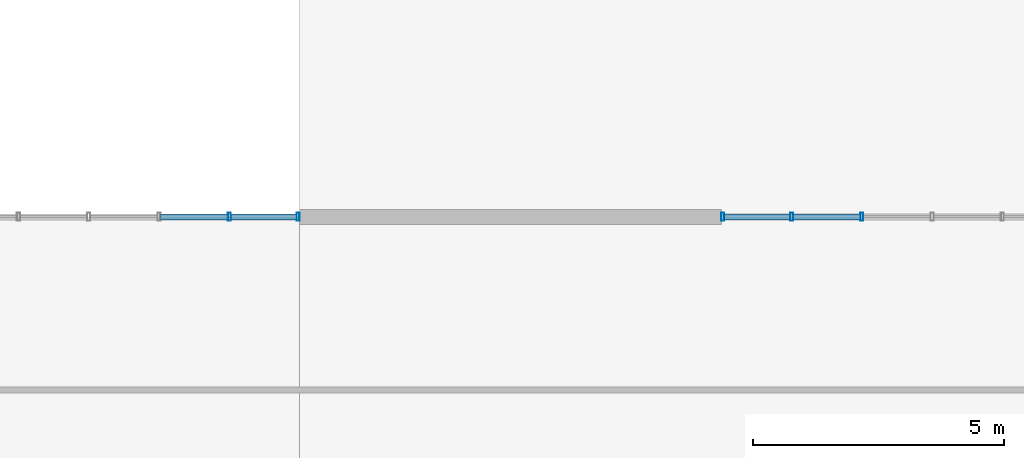
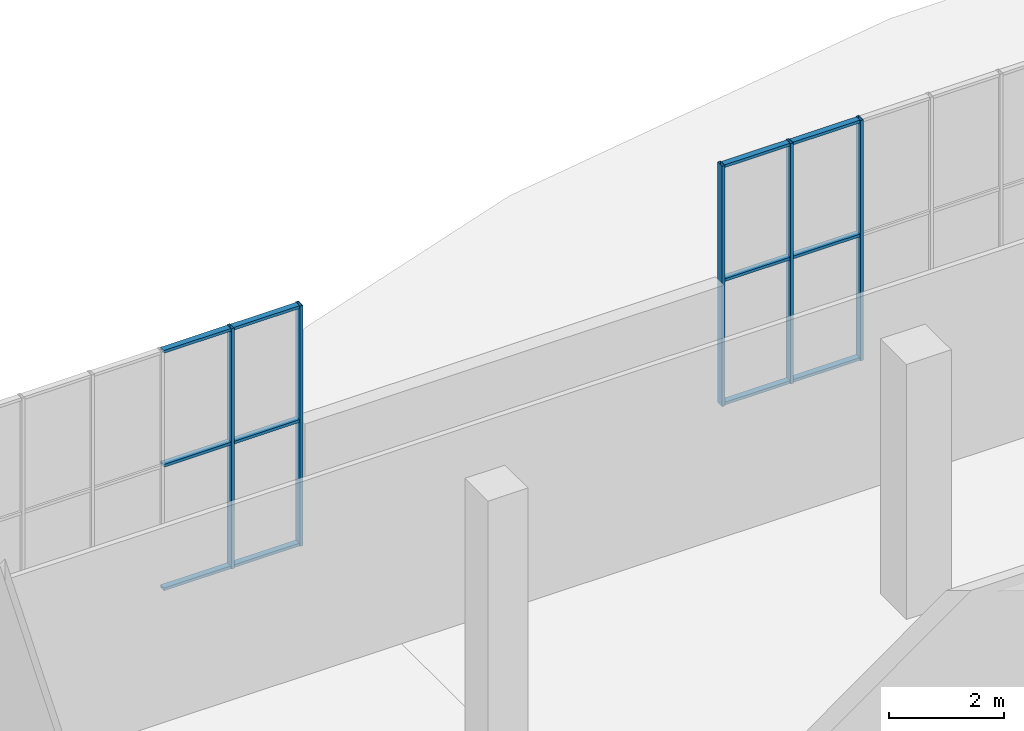
# One storey, part 17 of 91: 17 members, 2 elements without a shape of their own.
"""IFC4 building model written with IfcOpenShell, lengths in metres."""

from ifc_helpers import new_model, si_unit, direction, frame, origin, origin_2d, place, context, subcontext, project, spatial, hollow_rectangle, extrude, material, material_profile, profile_set, type_object, element, aggregate, save


model = new_model("IFC4")

# Units and contexts
model_context = context("Model", 3, precision=1e-05, world=origin(), true_north=direction((0.0, 1.0)))
body_context = subcontext(model_context, "Body", "Model", "MODEL_VIEW")
ifc_project = project(units=[si_unit("LENGTHUNIT", "METRE"), si_unit("AREAUNIT", "SQUARE_METRE"), si_unit("VOLUMEUNIT", "CUBIC_METRE"), si_unit("PLANEANGLEUNIT", "RADIAN"), si_unit("MASSUNIT", "GRAM", prefix="KILO")], contexts=[model_context])

# Site, building, storey
site_placement = place(None, origin())
site = spatial("IfcSite", under=ifc_project, at=site_placement, CompositionType="ELEMENT")
building_placement = place(site_placement, origin())
building = spatial("IfcBuilding", under=site, at=building_placement, Name="Khurvash Pelagic Aquarium", CompositionType="ELEMENT")
storey_placement = place(building_placement, origin())
storey = spatial("IfcBuildingStorey", under=building, at=storey_placement, Name="L00", CompositionType="ELEMENT", Elevation=0.0)

# Curtain wall, members
ifc_material_1 = material(Name="Anodised aluminium and low-E laminated glass", Category="aluminium")
curtain_wall_type = type_object("IfcCurtainWallType", Name="CW-02", PredefinedType="USERDEFINED", material=ifc_material_1)
curtain_wall_1_placement = place(storey_placement, origin())
curtain_wall_1 = element("IfcCurtainWall", 1, at=curtain_wall_1_placement, inside=storey, type_object=curtain_wall_type, Name="L00 Facade Unitised Curtain Wall CW-02 0097", ObjectType="UNITISED CURTAIN WALL", PredefinedType="USERDEFINED")
ifc_material_2 = material(Name="Extruded aluminium AW-6063-T6", Category="aluminium")
ifc_material_profile_1 = material_profile(ifc_material_2, hollow_rectangle(XDim=0.06005859375, YDim=0.159912109375, WallThickness=0.00390625, at=origin_2d()), Name="CWM60X160X4")
ifc_profile_set_1 = profile_set([ifc_material_profile_1], Name="Extruded aluminium AW-6063-T6")
member_type_1 = type_object("IfcMemberType", Name="CM-02", PredefinedType="MULLION", material=ifc_profile_set_1)
member_1_placement = place(storey_placement, frame((61.60009765625, 36.550048828125, 0.0), z_axis=(0.0, 0.0, 1.0), x_axis=(-1.0, 0.0, 0.0)))
member_1 = element("IfcMember", 2, at=member_1_placement, type_object=member_type_1, Name="CW-02 mullion 5", PredefinedType="MULLION", context=body_context, shape_type="SweptSolid", body=[
    extrude(hollow_rectangle(XDim=0.06005859375, YDim=0.159912109375, WallThickness=0.00390625, at=origin_2d()), origin(), (0.0, 0.0, 1.0), 5.090087890625),
])
member_2_placement = place(storey_placement, frame((60.199951171875, 36.550048828125, 0.0), z_axis=(0.0, 0.0, 1.0), x_axis=(-1.0, 0.0, 0.0)))
member_2 = element("IfcMember", 3, at=member_2_placement, type_object=member_type_1, Name="CW-02 mullion 6", PredefinedType="MULLION", context=body_context, shape_type="SweptSolid", body=[
    extrude(hollow_rectangle(XDim=0.06005859375, YDim=0.159912109375, WallThickness=0.00390625, at=origin_2d()), origin(), (0.0, 0.0, 1.0), 5.090087890625),
])
member_3_placement = place(storey_placement, frame((58.830078125, 36.550048828125, 0.0), z_axis=(0.0, 0.0, 1.0), x_axis=(-1.0, 0.0, 0.0)))
member_3 = element("IfcMember", 4, at=member_3_placement, type_object=member_type_1, Name="CW-02 mullion 7", PredefinedType="MULLION", context=body_context, shape_type="SweptSolid", body=[
    extrude(hollow_rectangle(XDim=0.06005859375, YDim=0.159912109375, WallThickness=0.00390625, at=origin_2d()), origin(), (0.0, 0.0, 1.0), 5.090087890625),
])

curtain_wall_2_placement = place(storey_placement, origin())
curtain_wall_2 = element("IfcCurtainWall", 5, at=curtain_wall_2_placement, inside=storey, type_object=curtain_wall_type, Name="L00 Facade Unitised Curtain Wall CW-02 0098", ObjectType="UNITISED CURTAIN WALL", PredefinedType="USERDEFINED")
member_4_placement = place(storey_placement, frame((50.3701171875, 36.550048828125, 0.0), z_axis=(0.0, 0.0, 1.0), x_axis=(-1.0, 0.0, 0.0)))
member_4 = element("IfcMember", 6, at=member_4_placement, type_object=member_type_1, Name="CW-02 mullion 1", PredefinedType="MULLION", context=body_context, shape_type="SweptSolid", body=[
    extrude(hollow_rectangle(XDim=0.06005859375, YDim=0.159912109375, WallThickness=0.00390625, at=origin_2d()), origin(), (0.0, 0.0, 1.0), 5.090087890625),
])
member_5_placement = place(storey_placement, frame((49.0, 36.550048828125, 0.0), z_axis=(0.0, 0.0, 1.0), x_axis=(-1.0, 0.0, 0.0)))
member_5 = element("IfcMember", 7, at=member_5_placement, type_object=member_type_1, Name="CW-02 mullion 2", PredefinedType="MULLION", context=body_context, shape_type="SweptSolid", body=[
    extrude(hollow_rectangle(XDim=0.06005859375, YDim=0.159912109375, WallThickness=0.00390625, at=origin_2d()), origin(), (0.0, 0.0, 1.0), 5.090087890625),
])

# Member
ifc_material_profile_2 = material_profile(ifc_material_2, hollow_rectangle(XDim=0.1201171875, YDim=0.06005859375, WallThickness=0.00390625, at=origin_2d()), Name="CWT120X60X4")
ifc_profile_set_2 = profile_set([ifc_material_profile_2], Name="Extruded aluminium AW-6063-T6")
member_type_2 = type_object("IfcMemberType", Name="CT-02", PredefinedType="USERDEFINED", material=ifc_profile_set_2)
member_6_placement = place(storey_placement, frame((61.570068359375, 36.550048828125, 0.030029296875), z_axis=(-1.0, 0.0, 0.0), x_axis=(0.0, -1.0, 0.0)))
member_6 = element("IfcMember", 8, at=member_6_placement, type_object=member_type_2, Name="CW-02 transom 5.1", ObjectType="TRANSOM", PredefinedType="USERDEFINED", context=body_context, shape_type="SweptSolid", body=[
    extrude(hollow_rectangle(XDim=0.1201171875, YDim=0.06005859375, WallThickness=0.00390625, at=origin_2d()), origin(), (0.0, 0.0, 1.0), 1.340087890625),
])

member_7_placement = place(storey_placement, frame((61.570068359375, 36.550048828125, 2.64697265625), z_axis=(-1.0, 0.0, 0.0), x_axis=(0.0, -1.0, 0.0)))
member_7 = element("IfcMember", 9, at=member_7_placement, type_object=member_type_2, Name="CW-02 transom 5.2", ObjectType="TRANSOM", PredefinedType="USERDEFINED", context=body_context, shape_type="SweptSolid", body=[
    extrude(hollow_rectangle(XDim=0.1201171875, YDim=0.06005859375, WallThickness=0.00390625, at=origin_2d()), origin(), (0.0, 0.0, 1.0), 1.340087890625),
])

member_8_placement = place(storey_placement, frame((61.570068359375, 36.550048828125, 5.06005859375), z_axis=(-1.0, 0.0, 0.0), x_axis=(0.0, -1.0, 0.0)))
member_8 = element("IfcMember", 10, at=member_8_placement, type_object=member_type_2, Name="CW-02 transom 5.3", ObjectType="TRANSOM", PredefinedType="USERDEFINED", context=body_context, shape_type="SweptSolid", body=[
    extrude(hollow_rectangle(XDim=0.1201171875, YDim=0.06005859375, WallThickness=0.00390625, at=origin_2d()), origin(), (0.0, 0.0, 1.0), 1.340087890625),
])

member_9_placement = place(storey_placement, frame((60.169921875, 36.550048828125, 0.030029296875), z_axis=(-1.0, 0.0, 0.0), x_axis=(0.0, -1.0, 0.0)))
member_9 = element("IfcMember", 11, at=member_9_placement, type_object=member_type_2, Name="CW-02 transom 6.1", ObjectType="TRANSOM", PredefinedType="USERDEFINED", context=body_context, shape_type="SweptSolid", body=[
    extrude(hollow_rectangle(XDim=0.1201171875, YDim=0.06005859375, WallThickness=0.00390625, at=origin_2d()), origin(), (0.0, 0.0, 1.0), 1.309814453125),
])

member_10_placement = place(storey_placement, frame((60.169921875, 36.550048828125, 2.64697265625), z_axis=(-1.0, 0.0, 0.0), x_axis=(0.0, -1.0, 0.0)))
member_10 = element("IfcMember", 12, at=member_10_placement, type_object=member_type_2, Name="CW-02 transom 6.2", ObjectType="TRANSOM", PredefinedType="USERDEFINED", context=body_context, shape_type="SweptSolid", body=[
    extrude(hollow_rectangle(XDim=0.1201171875, YDim=0.06005859375, WallThickness=0.00390625, at=origin_2d()), origin(), (0.0, 0.0, 1.0), 1.309814453125),
])

member_11_placement = place(storey_placement, frame((60.169921875, 36.550048828125, 5.06005859375), z_axis=(-1.0, 0.0, 0.0), x_axis=(0.0, -1.0, 0.0)))
member_11 = element("IfcMember", 13, at=member_11_placement, type_object=member_type_2, Name="CW-02 transom 6.3", ObjectType="TRANSOM", PredefinedType="USERDEFINED", context=body_context, shape_type="SweptSolid", body=[
    extrude(hollow_rectangle(XDim=0.1201171875, YDim=0.06005859375, WallThickness=0.00390625, at=origin_2d()), origin(), (0.0, 0.0, 1.0), 1.309814453125),
])

aggregate(curtain_wall_1, [member_1, member_2, member_3, member_6, member_7, member_8, member_9, member_10, member_11])

member_12_placement = place(storey_placement, frame((50.340087890625, 36.550048828125, 0.030029296875), z_axis=(-1.0, 0.0, 0.0), x_axis=(0.0, -1.0, 0.0)))
member_12 = element("IfcMember", 14, at=member_12_placement, type_object=member_type_2, Name="CW-02 transom 1.1", ObjectType="TRANSOM", PredefinedType="USERDEFINED", context=body_context, shape_type="SweptSolid", body=[
    extrude(hollow_rectangle(XDim=0.1201171875, YDim=0.06005859375, WallThickness=0.00390625, at=origin_2d()), origin(), (0.0, 0.0, 1.0), 1.31005859375),
])

member_13_placement = place(storey_placement, frame((50.340087890625, 36.550048828125, 2.64697265625), z_axis=(-1.0, 0.0, 0.0), x_axis=(0.0, -1.0, 0.0)))
member_13 = element("IfcMember", 15, at=member_13_placement, type_object=member_type_2, Name="CW-02 transom 1.2", ObjectType="TRANSOM", PredefinedType="USERDEFINED", context=body_context, shape_type="SweptSolid", body=[
    extrude(hollow_rectangle(XDim=0.1201171875, YDim=0.06005859375, WallThickness=0.00390625, at=origin_2d()), origin(), (0.0, 0.0, 1.0), 1.31005859375),
])

member_14_placement = place(storey_placement, frame((50.340087890625, 36.550048828125, 5.06005859375), z_axis=(-1.0, 0.0, 0.0), x_axis=(0.0, -1.0, 0.0)))
member_14 = element("IfcMember", 16, at=member_14_placement, type_object=member_type_2, Name="CW-02 transom 1.3", ObjectType="TRANSOM", PredefinedType="USERDEFINED", context=body_context, shape_type="SweptSolid", body=[
    extrude(hollow_rectangle(XDim=0.1201171875, YDim=0.06005859375, WallThickness=0.00390625, at=origin_2d()), origin(), (0.0, 0.0, 1.0), 1.31005859375),
])

member_15_placement = place(storey_placement, frame((48.969970703125, 36.550048828125, 0.030029296875), z_axis=(-1.0, 0.0, 0.0), x_axis=(0.0, -1.0, 0.0)))
member_15 = element("IfcMember", 17, at=member_15_placement, type_object=member_type_2, Name="CW-02 transom 2.1", ObjectType="TRANSOM", PredefinedType="USERDEFINED", context=body_context, shape_type="SweptSolid", body=[
    extrude(hollow_rectangle(XDim=0.1201171875, YDim=0.06005859375, WallThickness=0.00390625, at=origin_2d()), origin(), (0.0, 0.0, 1.0), 1.340087890625),
])

member_16_placement = place(storey_placement, frame((48.969970703125, 36.550048828125, 2.64697265625), z_axis=(-1.0, 0.0, 0.0), x_axis=(0.0, -1.0, 0.0)))
member_16 = element("IfcMember", 18, at=member_16_placement, type_object=member_type_2, Name="CW-02 transom 2.2", ObjectType="TRANSOM", PredefinedType="USERDEFINED", context=body_context, shape_type="SweptSolid", body=[
    extrude(hollow_rectangle(XDim=0.1201171875, YDim=0.06005859375, WallThickness=0.00390625, at=origin_2d()), origin(), (0.0, 0.0, 1.0), 1.340087890625),
])

member_17_placement = place(storey_placement, frame((48.969970703125, 36.550048828125, 5.06005859375), z_axis=(-1.0, 0.0, 0.0), x_axis=(0.0, -1.0, 0.0)))
member_17 = element("IfcMember", 19, at=member_17_placement, type_object=member_type_2, Name="CW-02 transom 2.3", ObjectType="TRANSOM", PredefinedType="USERDEFINED", context=body_context, shape_type="SweptSolid", body=[
    extrude(hollow_rectangle(XDim=0.1201171875, YDim=0.06005859375, WallThickness=0.00390625, at=origin_2d()), origin(), (0.0, 0.0, 1.0), 1.340087890625),
])

aggregate(curtain_wall_2, [member_4, member_5, member_12, member_13, member_14, member_15, member_16, member_17])

save(model, "model.ifc")
